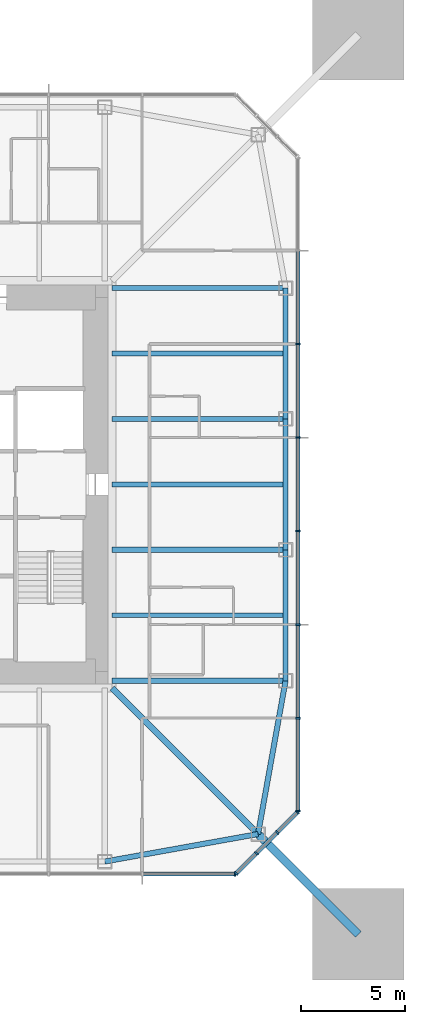
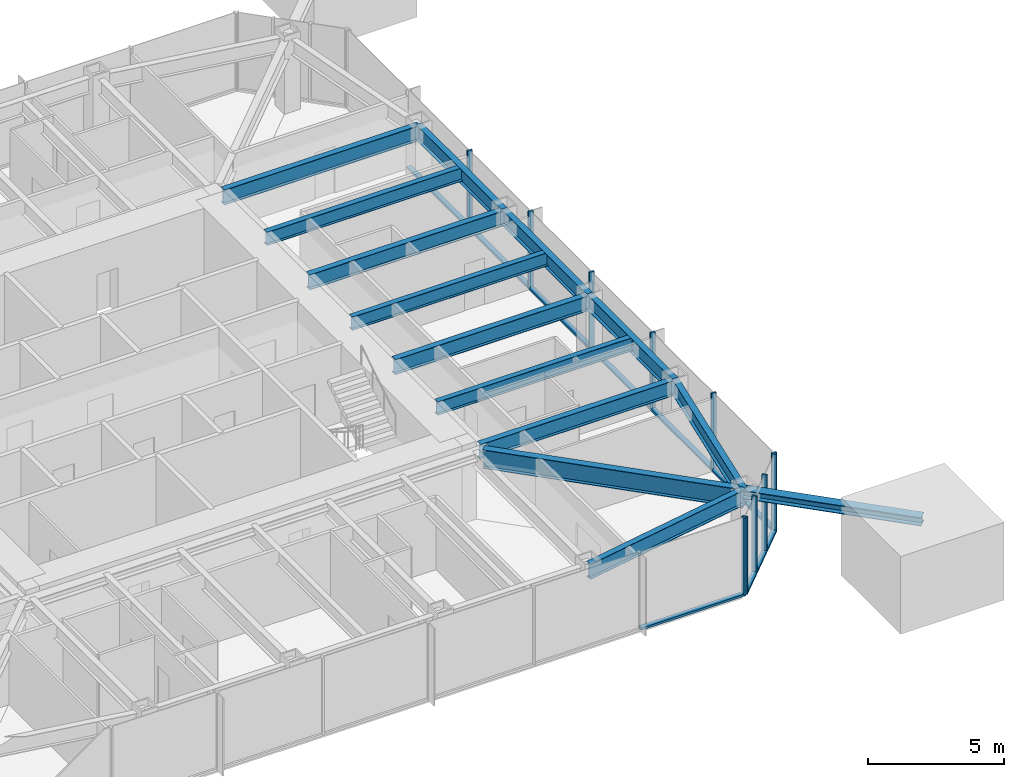
# One storey, part 3 of 11: 22 members, 13 beams, 3 elements without a shape of their own.
"""IFC4 building model written with IfcOpenShell, lengths in metres."""

from ifc_helpers import new_model, si_unit, direction, frame, origin, origin_2d, place, context, subcontext, project, spatial, rectangle, i_section, extrude, material, material_profile, profile_set, type_object, element, aggregate, save


model = new_model("IFC4")

# Units and contexts
model_context = context("Model", 3, precision=1e-05, world=origin(), true_north=direction((0.0, 1.0)))
body_context = subcontext(model_context, "Body", "Model", "MODEL_VIEW")
ifc_project = project(units=[si_unit("LENGTHUNIT", "METRE"), si_unit("AREAUNIT", "SQUARE_METRE"), si_unit("VOLUMEUNIT", "CUBIC_METRE"), si_unit("PLANEANGLEUNIT", "RADIAN"), si_unit("MASSUNIT", "GRAM", prefix="KILO")], contexts=[model_context])

# Site, building, storey
site_placement = place(None, origin())
site = spatial("IfcSite", under=ifc_project, at=site_placement, CompositionType="ELEMENT")
building_placement = place(site_placement, origin())
building = spatial("IfcBuilding", under=site, at=building_placement, Name="Iwan Alto Co-Living Towers", CompositionType="ELEMENT")
storey_placement = place(building_placement, frame((0.0, 0.0, 181.0)))
storey = spatial("IfcBuildingStorey", under=building, at=storey_placement, Name="L49", CompositionType="ELEMENT", Elevation=181.0)

# Curtain wall, member
ifc_material_1 = material(Name="Bronze aluminium unitised frame", Category="aluminium")
curtain_wall_type_1 = type_object("IfcCurtainWallType", Name="CURTAIN WALL CW-A", PredefinedType="NOTDEFINED", material=ifc_material_1)
curtain_wall_1_placement = place(storey_placement, origin())
curtain_wall_1 = element("IfcCurtainWall", 1, at=curtain_wall_1_placement, inside=storey, type_object=curtain_wall_type_1, Name="T1 curtain wall S L49", PredefinedType="NOTDEFINED")
ifc_material_2 = material(Name="Aluminium 6063-T6 bronze anodised", Category="aluminium")
ifc_material_profile_1 = material_profile(ifc_material_2, rectangle(XDim=0.199951171875, YDim=0.080078125, at=origin_2d()), Name="AL 80X200")
ifc_profile_set_1 = profile_set([ifc_material_profile_1], Name="Aluminium 6063-T6 bronze anodised")
member_type_1 = type_object("IfcMemberType", Name="CW-A MULLION 80X200", PredefinedType="MULLION", material=ifc_profile_set_1)
member_1_placement = place(storey_placement, frame((15.7099609375, -18.75, 0.0), z_axis=(0.0, 0.0, 1.0), x_axis=(0.0, 1.0, 0.0)))
member_1 = element("IfcMember", 2, at=member_1_placement, type_object=member_type_1, Name="CW-A mullion 8", PredefinedType="MULLION", context=body_context, shape_type="SweptSolid", body=[
    extrude(rectangle(XDim=0.199951171875, YDim=0.080078125, at=origin_2d()), origin(), (0.0, 0.0, 1.0), 3.5),
])

# Curtain wall, members
curtain_wall_2_placement = place(storey_placement, origin())
curtain_wall_2 = element("IfcCurtainWall", 3, at=curtain_wall_2_placement, inside=storey, type_object=curtain_wall_type_1, Name="T1 curtain wall E L49", PredefinedType="NOTDEFINED")
member_2_placement = place(storey_placement, frame((18.75, -15.7099609375, 0.0), z_axis=(0.0, 0.0, 1.0), x_axis=(-1.0, 0.0, 0.0)))
member_2 = element("IfcMember", 4, at=member_2_placement, type_object=member_type_1, Name="CW-A mullion 1", PredefinedType="MULLION", context=body_context, shape_type="SweptSolid", body=[
    extrude(rectangle(XDim=0.199951171875, YDim=0.080078125, at=origin_2d()), origin(), (0.0, 0.0, 1.0), 3.5),
])
member_3_placement = place(storey_placement, frame((18.75, -11.25, 0.0), z_axis=(0.0, 0.0, 1.0), x_axis=(-1.0, 0.0, 0.0)))
member_3 = element("IfcMember", 5, at=member_3_placement, type_object=member_type_1, Name="CW-A mullion 2", PredefinedType="MULLION", context=body_context, shape_type="SweptSolid", body=[
    extrude(rectangle(XDim=0.199951171875, YDim=0.080078125, at=origin_2d()), origin(), (0.0, 0.0, 1.0), 3.5),
])
member_4_placement = place(storey_placement, frame((18.75, -6.75, 0.0), z_axis=(0.0, 0.0, 1.0), x_axis=(-1.0, 0.0, 0.0)))
member_4 = element("IfcMember", 6, at=member_4_placement, type_object=member_type_1, Name="CW-A mullion 3", PredefinedType="MULLION", context=body_context, shape_type="SweptSolid", body=[
    extrude(rectangle(XDim=0.199951171875, YDim=0.080078125, at=origin_2d()), origin(), (0.0, 0.0, 1.0), 3.5),
])
member_5_placement = place(storey_placement, frame((18.75, -2.25, 0.0), z_axis=(0.0, 0.0, 1.0), x_axis=(-1.0, 0.0, 0.0)))
member_5 = element("IfcMember", 7, at=member_5_placement, type_object=member_type_1, Name="CW-A mullion 4", PredefinedType="MULLION", context=body_context, shape_type="SweptSolid", body=[
    extrude(rectangle(XDim=0.199951171875, YDim=0.080078125, at=origin_2d()), origin(), (0.0, 0.0, 1.0), 3.5),
])
member_6_placement = place(storey_placement, frame((18.75, 2.25, 0.0), z_axis=(0.0, 0.0, 1.0), x_axis=(-1.0, 0.0, 0.0)))
member_6 = element("IfcMember", 8, at=member_6_placement, type_object=member_type_1, Name="CW-A mullion 5", PredefinedType="MULLION", context=body_context, shape_type="SweptSolid", body=[
    extrude(rectangle(XDim=0.199951171875, YDim=0.080078125, at=origin_2d()), origin(), (0.0, 0.0, 1.0), 3.5),
])
member_7_placement = place(storey_placement, frame((18.75, 6.75, 0.0), z_axis=(0.0, 0.0, 1.0), x_axis=(-1.0, 0.0, 0.0)))
member_7 = element("IfcMember", 9, at=member_7_placement, type_object=member_type_1, Name="CW-A mullion 6", PredefinedType="MULLION", context=body_context, shape_type="SweptSolid", body=[
    extrude(rectangle(XDim=0.199951171875, YDim=0.080078125, at=origin_2d()), origin(), (0.0, 0.0, 1.0), 3.5),
])

# Member
ifc_material_3 = material(Name="Aluminium 6063-T6 bronze anodised", Category="aluminium")
ifc_material_profile_2 = material_profile(ifc_material_3, rectangle(XDim=0.199951171875, YDim=0.10009765625, at=origin_2d()), Name="AL 200X100")
ifc_profile_set_2 = profile_set([ifc_material_profile_2], Name="Aluminium 6063-T6 bronze anodised")
member_type_2 = type_object("IfcMemberType", Name="CW-A TRANSOM 200X100", PredefinedType="USERDEFINED", material=ifc_profile_set_2)
member_8_placement = place(storey_placement, frame((11.2900390625, -18.75, 0.050048828125), z_axis=(1.0, 0.0, 0.0), x_axis=(0.0, 1.0, 0.0)))
member_8 = element("IfcMember", 10, at=member_8_placement, type_object=member_type_2, Name="CW-A transom 7.1", ObjectType="TRANSOM", PredefinedType="USERDEFINED", context=body_context, shape_type="SweptSolid", body=[
    extrude(rectangle(XDim=0.199951171875, YDim=0.10009765625, at=origin_2d()), origin(), (0.0, 0.0, 1.0), 4.3798828125),
])

aggregate(curtain_wall_1, [member_1, member_8])

member_9_placement = place(storey_placement, frame((18.75, -15.669921875, 0.050048828125), z_axis=(0.0, 1.0, 0.0), x_axis=(-1.0, 0.0, 0.0)))
member_9 = element("IfcMember", 11, at=member_9_placement, type_object=member_type_2, Name="CW-A transom 1.1", ObjectType="TRANSOM", PredefinedType="USERDEFINED", context=body_context, shape_type="SweptSolid", body=[
    extrude(rectangle(XDim=0.199951171875, YDim=0.10009765625, at=origin_2d()), origin(), (0.0, 0.0, 1.0), 4.3798828125),
])

member_10_placement = place(storey_placement, frame((18.75, -11.2099609375, 0.050048828125), z_axis=(0.0, 1.0, 0.0), x_axis=(-1.0, 0.0, 0.0)))
member_10 = element("IfcMember", 12, at=member_10_placement, type_object=member_type_2, Name="CW-A transom 2.1", ObjectType="TRANSOM", PredefinedType="USERDEFINED", context=body_context, shape_type="SweptSolid", body=[
    extrude(rectangle(XDim=0.199951171875, YDim=0.10009765625, at=origin_2d()), origin(), (0.0, 0.0, 1.0), 4.419921875),
])

member_11_placement = place(storey_placement, frame((18.75, -6.7099609375, 0.050048828125), z_axis=(0.0, 1.0, 0.0), x_axis=(-1.0, 0.0, 0.0)))
member_11 = element("IfcMember", 13, at=member_11_placement, type_object=member_type_2, Name="CW-A transom 3.1", ObjectType="TRANSOM", PredefinedType="USERDEFINED", context=body_context, shape_type="SweptSolid", body=[
    extrude(rectangle(XDim=0.199951171875, YDim=0.10009765625, at=origin_2d()), origin(), (0.0, 0.0, 1.0), 4.419921875),
])

member_12_placement = place(storey_placement, frame((18.75, -2.2099609375, 0.050048828125), z_axis=(0.0, 1.0, 0.0), x_axis=(-1.0, 0.0, 0.0)))
member_12 = element("IfcMember", 14, at=member_12_placement, type_object=member_type_2, Name="CW-A transom 4.1", ObjectType="TRANSOM", PredefinedType="USERDEFINED", context=body_context, shape_type="SweptSolid", body=[
    extrude(rectangle(XDim=0.199951171875, YDim=0.10009765625, at=origin_2d()), origin(), (0.0, 0.0, 1.0), 4.419921875),
])

member_13_placement = place(storey_placement, frame((18.75, 2.2900390625, 0.050048828125), z_axis=(0.0, 1.0, 0.0), x_axis=(-1.0, 0.0, 0.0)))
member_13 = element("IfcMember", 15, at=member_13_placement, type_object=member_type_2, Name="CW-A transom 5.1", ObjectType="TRANSOM", PredefinedType="USERDEFINED", context=body_context, shape_type="SweptSolid", body=[
    extrude(rectangle(XDim=0.199951171875, YDim=0.10009765625, at=origin_2d()), origin(), (0.0, 0.0, 1.0), 4.419921875),
])

member_14_placement = place(storey_placement, frame((18.75, 6.7900390625, 0.050048828125), z_axis=(0.0, 1.0, 0.0), x_axis=(-1.0, 0.0, 0.0)))
member_14 = element("IfcMember", 16, at=member_14_placement, type_object=member_type_2, Name="CW-A transom 6.1", ObjectType="TRANSOM", PredefinedType="USERDEFINED", context=body_context, shape_type="SweptSolid", body=[
    extrude(rectangle(XDim=0.199951171875, YDim=0.10009765625, at=origin_2d()), origin(), (0.0, 0.0, 1.0), 4.419921875),
])

aggregate(curtain_wall_2, [member_2, member_3, member_4, member_5, member_6, member_7, member_9, member_10, member_11, member_12, member_13, member_14])

# Curtain wall, members
ifc_material_4 = material(Name="Bronze aluminium unitised frame", Category="aluminium")
curtain_wall_type_2 = type_object("IfcCurtainWallType", Name="CURTAIN WALL CW-B", PredefinedType="NOTDEFINED", material=ifc_material_4)
curtain_wall_3_placement = place(storey_placement, origin())
curtain_wall_3 = element("IfcCurtainWall", 17, at=curtain_wall_3_placement, inside=storey, type_object=curtain_wall_type_2, Name="T1 chamfer curtain wall SE L49", PredefinedType="NOTDEFINED")
ifc_material_5 = material(Name="Aluminium 6063-T6 bronze anodised", Category="aluminium")
ifc_material_profile_3 = material_profile(ifc_material_5, rectangle(XDim=0.199951171875, YDim=0.080078125, at=origin_2d()), Name="AL 80X200")
ifc_profile_set_3 = profile_set([ifc_material_profile_3], Name="Aluminium 6063-T6 bronze anodised")
member_type_3 = type_object("IfcMemberType", Name="CW-B MULLION 80X200", PredefinedType="MULLION", material=ifc_profile_set_3)
member_15_placement = place(storey_placement, frame((15.7783203125, -18.7216796875, 0.0), z_axis=(0.0, 0.0, 1.0), x_axis=(-0.707106781187, 0.707106781187, 0.0)))
member_15 = element("IfcMember", 18, at=member_15_placement, type_object=member_type_3, Name="CW-B mullion 1", PredefinedType="MULLION", context=body_context, shape_type="SweptSolid", body=[
    extrude(rectangle(XDim=0.199951171875, YDim=0.080078125, at=origin_2d()), origin(), (0.0, 0.0, 1.0), 3.5),
])
member_16_placement = place(storey_placement, frame((16.75, -17.75, 0.0), z_axis=(0.0, 0.0, 1.0), x_axis=(-0.707106781187, 0.707106781187, 0.0)))
member_16 = element("IfcMember", 19, at=member_16_placement, type_object=member_type_3, Name="CW-B mullion 2", PredefinedType="MULLION", context=body_context, shape_type="SweptSolid", body=[
    extrude(rectangle(XDim=0.199951171875, YDim=0.080078125, at=origin_2d()), origin(), (0.0, 0.0, 1.0), 3.5),
])
member_17_placement = place(storey_placement, frame((17.75, -16.75, 0.0), z_axis=(0.0, 0.0, 1.0), x_axis=(-0.707106781187, 0.707106781187, 0.0)))
member_17 = element("IfcMember", 20, at=member_17_placement, type_object=member_type_3, Name="CW-B mullion 3", PredefinedType="MULLION", context=body_context, shape_type="SweptSolid", body=[
    extrude(rectangle(XDim=0.199951171875, YDim=0.080078125, at=origin_2d()), origin(), (0.0, 0.0, 1.0), 3.5),
])
member_18_placement = place(storey_placement, frame((18.7216796875, -15.7783203125, 0.0), z_axis=(0.0, 0.0, 1.0), x_axis=(-0.707106781187, 0.707106781187, 0.0)))
member_18 = element("IfcMember", 21, at=member_18_placement, type_object=member_type_3, Name="CW-B mullion 4", PredefinedType="MULLION", context=body_context, shape_type="SweptSolid", body=[
    extrude(rectangle(XDim=0.199951171875, YDim=0.080078125, at=origin_2d()), origin(), (0.0, 0.0, 1.0), 3.5),
])
ifc_material_6 = material(Name="Aluminium 6063-T6 bronze anodised", Category="aluminium")
ifc_material_profile_4 = material_profile(ifc_material_6, rectangle(XDim=0.199951171875, YDim=0.10009765625, at=origin_2d()), Name="AL 200X100")
ifc_profile_set_4 = profile_set([ifc_material_profile_4], Name="Aluminium 6063-T6 bronze anodised")
member_type_4 = type_object("IfcMemberType", Name="CW-B TRANSOM 200X100", PredefinedType="USERDEFINED", material=ifc_profile_set_4)
member_19_placement = place(storey_placement, frame((15.806640625, -18.693359375, 0.050048828125), z_axis=(0.707106781187, 0.707106781187, 0.0), x_axis=(-0.707106781187, 0.707106781187, 0.0)))
member_19 = element("IfcMember", 22, at=member_19_placement, type_object=member_type_4, Name="CW-B transom 1.1", ObjectType="TRANSOM", PredefinedType="USERDEFINED", context=body_context, shape_type="SweptSolid", body=[
    extrude(rectangle(XDim=0.199951171875, YDim=0.10009765625, at=origin_2d()), origin(), (0.0, 0.0, 1.0), 1.2939453125),
])
member_20_placement = place(storey_placement, frame((16.7783203125, -17.7216796875, 0.050048828125), z_axis=(0.707106781187, 0.707106781187, 0.0), x_axis=(-0.707106781187, 0.707106781187, 0.0)))
member_20 = element("IfcMember", 23, at=member_20_placement, type_object=member_type_4, Name="CW-B transom 2.1", ObjectType="TRANSOM", PredefinedType="USERDEFINED", context=body_context, shape_type="SweptSolid", body=[
    extrude(rectangle(XDim=0.199951171875, YDim=0.10009765625, at=origin_2d()), origin(), (0.0, 0.0, 1.0), 1.334228515625),
])
member_21_placement = place(storey_placement, frame((17.7783203125, -16.7216796875, 0.050048828125), z_axis=(0.707106781187, 0.707106781187, 0.0), x_axis=(-0.707106781187, 0.707106781187, 0.0)))
member_21 = element("IfcMember", 24, at=member_21_placement, type_object=member_type_4, Name="CW-B transom 3.1", ObjectType="TRANSOM", PredefinedType="USERDEFINED", context=body_context, shape_type="SweptSolid", body=[
    extrude(rectangle(XDim=0.199951171875, YDim=0.10009765625, at=origin_2d()), origin(), (0.0, 0.0, 1.0), 1.2939453125),
])
aggregate(curtain_wall_3, [member_15, member_16, member_17, member_18, member_19, member_20, member_21])

# Beams
ifc_material_7 = material(Name="Steel ASTM A992 Gr 50", Category="steel")
ifc_material_profile_5 = material_profile(ifc_material_7, i_section(OverallWidth=0.2919921875, OverallDepth=0.8408203125, WebThickness=0.0146484375, FlangeThickness=0.021728515625, at=origin_2d()), Name="W33X130")
ifc_profile_set_5 = profile_set([ifc_material_profile_5], Name="Steel ASTM A992 Gr 50")
beam_type_1 = type_object("IfcBeamType", Name="T1 CORNER GIRDER W33X130", PredefinedType="BEAM", material=ifc_profile_set_5)
beam_1_placement = place(storey_placement, frame((16.82568359375, -16.82568359375, 2.849609375), z_axis=(-0.707106781187, 0.707106781187, 0.0), x_axis=(-0.707106781187, -0.707106781187, 0.0)))
element("IfcBeam", 25, at=beam_1_placement, inside=storey, type_object=beam_type_1, Name="T1 corner girder CSE L50", PredefinedType="BEAM", context=body_context, shape_type="SweptSolid", body=[
    extrude(i_section(OverallWidth=0.2919921875, OverallDepth=0.8408203125, WebThickness=0.0146484375, FlangeThickness=0.021728515625, at=origin_2d()), origin(), (0.0, 0.0, 1.0), 9.936767578125),
])
ifc_material_8 = material(Name="Steel ASTM A992 Gr 50", Category="steel")
ifc_material_profile_6 = material_profile(ifc_material_8, i_section(OverallWidth=0.25390625, OverallDepth=0.683349609375, WebThickness=0.012451171875, FlangeThickness=0.018798828125, at=origin_2d()), Name="W27X94")
ifc_profile_set_6 = profile_set([ifc_material_profile_6], Name="Steel ASTM A992 Gr 50")
beam_type_2 = type_object("IfcBeamType", Name="T1 EDGE BEAM W27X94", PredefinedType="BEAM", material=ifc_profile_set_6)
for number, where, z_axis, x_axis, name in (
    (26, (9.449951171875, -18.14990234375, 2.928466796875), (0.98426263553, 0.17671181143, 0.0), (-0.17671181143, 0.98426263553, 0.0), "T1 edge beam S4 L50"),
    (27, (16.82568359375, -16.82568359375, 2.928466796875), (0.17671181143, 0.98426263553, 0.0), (-0.98426263553, 0.17671181143, 0.0), "T1 edge beam CSE L50"),
):
    element("IfcBeam", number, at=place(storey_placement, frame(where, z_axis=z_axis, x_axis=x_axis)), inside=storey, type_object=beam_type_2, Name=name, PredefinedType="BEAM", context=body_context, shape_type="SweptSolid", body=[
        extrude(i_section(OverallWidth=0.25390625, OverallDepth=0.683349609375, WebThickness=0.012451171875, FlangeThickness=0.018798828125, at=origin_2d()), origin(), (0.0, 0.0, 1.0), 7.49365234375),
    ])
beam_2_placement = place(storey_placement, frame((18.14990234375, -9.449951171875, 2.928466796875), z_axis=(0.0, 1.0, 0.0), x_axis=(-1.0, 0.0, 0.0)))
element("IfcBeam", 28, at=beam_2_placement, inside=storey, type_object=beam_type_2, Name="T1 edge beam E1 L50", PredefinedType="BEAM", context=body_context, shape_type="SweptSolid", body=[
    extrude(i_section(OverallWidth=0.25390625, OverallDepth=0.683349609375, WebThickness=0.012451171875, FlangeThickness=0.018798828125, at=origin_2d()), origin(), (0.0, 0.0, 1.0), 6.300048828125),
])
beam_3_placement = place(storey_placement, frame((18.14990234375, -3.14990234375, 2.928466796875), z_axis=(0.0, 1.0, 0.0), x_axis=(-1.0, 0.0, 0.0)))
element("IfcBeam", 29, at=beam_3_placement, inside=storey, type_object=beam_type_2, Name="T1 edge beam E2 L50", PredefinedType="BEAM", context=body_context, shape_type="SweptSolid", body=[
    extrude(i_section(OverallWidth=0.25390625, OverallDepth=0.683349609375, WebThickness=0.012451171875, FlangeThickness=0.018798828125, at=origin_2d()), origin(), (0.0, 0.0, 1.0), 6.2998046875),
])
beam_4_placement = place(storey_placement, frame((18.14990234375, 3.14990234375, 2.928466796875), z_axis=(0.0, 1.0, 0.0), x_axis=(-1.0, 0.0, 0.0)))
element("IfcBeam", 30, at=beam_4_placement, inside=storey, type_object=beam_type_2, Name="T1 edge beam E3 L50", PredefinedType="BEAM", context=body_context, shape_type="SweptSolid", body=[
    extrude(i_section(OverallWidth=0.25390625, OverallDepth=0.683349609375, WebThickness=0.012451171875, FlangeThickness=0.018798828125, at=origin_2d()), origin(), (0.0, 0.0, 1.0), 6.300048828125),
])

# Member
ifc_material_9 = material(Name="Steel ASTM A992 Gr 50", Category="steel")
ifc_material_profile_7 = material_profile(ifc_material_9, i_section(OverallWidth=0.393798828125, OverallDepth=0.3759765625, WebThickness=0.017333984375, FlangeThickness=0.027587890625, at=origin_2d()), Name="W14X145")
ifc_profile_set_7 = profile_set([ifc_material_profile_7], Name="Steel ASTM A992 Gr 50")
member_type_5 = type_object("IfcMemberType", Name="T1 MEGA COLUMN FLOOR TIE W14X145", PredefinedType="STRUT", material=ifc_profile_set_7)
member_22_placement = place(storey_placement, frame((21.64990234375, -21.64990234375, 3.08203125), z_axis=(-0.707106781187, 0.707106781187, 0.0), x_axis=(-0.707106781187, -0.707106781187, 0.0)))
element("IfcMember", 31, at=member_22_placement, inside=storey, type_object=member_type_5, Name="T1 mega column floor tie SE L50", PredefinedType="STRUT", context=body_context, shape_type="SweptSolid", body=[
    extrude(i_section(OverallWidth=0.393798828125, OverallDepth=0.3759765625, WebThickness=0.017333984375, FlangeThickness=0.027587890625, at=origin_2d()), origin(), (0.0, 0.0, 1.0), 6.822509765625),
])

# Beams
ifc_material_10 = material(Name="Steel ASTM A992 Gr 50", Category="steel")
ifc_material_profile_8 = material_profile(ifc_material_10, i_section(OverallWidth=0.25390625, OverallDepth=0.683349609375, WebThickness=0.012451171875, FlangeThickness=0.018798828125, at=origin_2d()), Name="W27X94")
ifc_profile_set_8 = profile_set([ifc_material_profile_8], Name="Steel ASTM A992 Gr 50")
beam_type_3 = type_object("IfcBeamType", Name="T1 RADIAL BEAM W27X94", PredefinedType="BEAM", material=ifc_profile_set_8)
for number, where, z_axis, x_axis, name in (
    (32, (18.14990234375, -9.449951171875, 2.928466796875), (-1.0, 0.0, 0.0), (0.0, -1.0, 0.0), "T1 radial beam E1 L50"),
    (33, (18.14990234375, -3.14990234375, 2.928466796875), (-1.0, 0.0, 0.0), (0.0, -1.0, 0.0), "T1 radial beam E2 L50"),
    (34, (18.14990234375, 3.14990234375, 2.928466796875), (-1.0, 0.0, 0.0), (0.0, -1.0, 0.0), "T1 radial beam E3 L50"),
    (35, (18.14990234375, 9.449951171875, 2.928466796875), (-1.0, 0.0, 0.0), (0.0, -1.0, 0.0), "T1 radial beam E4 L50"),
):
    element("IfcBeam", number, at=place(storey_placement, frame(where, z_axis=z_axis, x_axis=x_axis)), inside=storey, type_object=beam_type_3, Name=name, PredefinedType="BEAM", context=body_context, shape_type="SweptSolid", body=[
        extrude(i_section(OverallWidth=0.25390625, OverallDepth=0.683349609375, WebThickness=0.012451171875, FlangeThickness=0.018798828125, at=origin_2d()), origin(), (0.0, 0.0, 1.0), 8.3505859375),
    ])
ifc_material_11 = material(Name="Steel ASTM A992 Gr 50", Category="steel")
ifc_material_profile_9 = material_profile(ifc_material_11, i_section(OverallWidth=0.228271484375, OverallDepth=0.607177734375, WebThickness=0.01123046875, FlangeThickness=0.017333984375, at=origin_2d()), Name="W24X76")
ifc_profile_set_9 = profile_set([ifc_material_profile_9], Name="Steel ASTM A992 Gr 50")
beam_type_4 = type_object("IfcBeamType", Name="T1 SECONDARY BEAM W24X76", PredefinedType="JOIST", material=ifc_profile_set_9)
for number, where, z_axis, x_axis, name in (
    (36, (18.14990234375, -6.300048828125, 2.966552734375), (-1.0, 0.0, 0.0), (0.0, -1.0, 0.0), "T1 secondary beam E1 L50"),
    (37, (18.14990234375, 0.0, 2.966552734375), (-1.0, 0.0, 0.0), (0.0, -1.0, 0.0), "T1 secondary beam E2 L50"),
    (38, (18.14990234375, 6.300048828125, 2.966552734375), (-1.0, 0.0, 0.0), (0.0, -1.0, 0.0), "T1 secondary beam E3 L50"),
):
    element("IfcBeam", number, at=place(storey_placement, frame(where, z_axis=z_axis, x_axis=x_axis)), inside=storey, type_object=beam_type_4, Name=name, PredefinedType="JOIST", context=body_context, shape_type="SweptSolid", body=[
        extrude(i_section(OverallWidth=0.228271484375, OverallDepth=0.607177734375, WebThickness=0.01123046875, FlangeThickness=0.017333984375, at=origin_2d()), origin(), (0.0, 0.0, 1.0), 8.3505859375),
    ])

save(model, "model.ifc")
